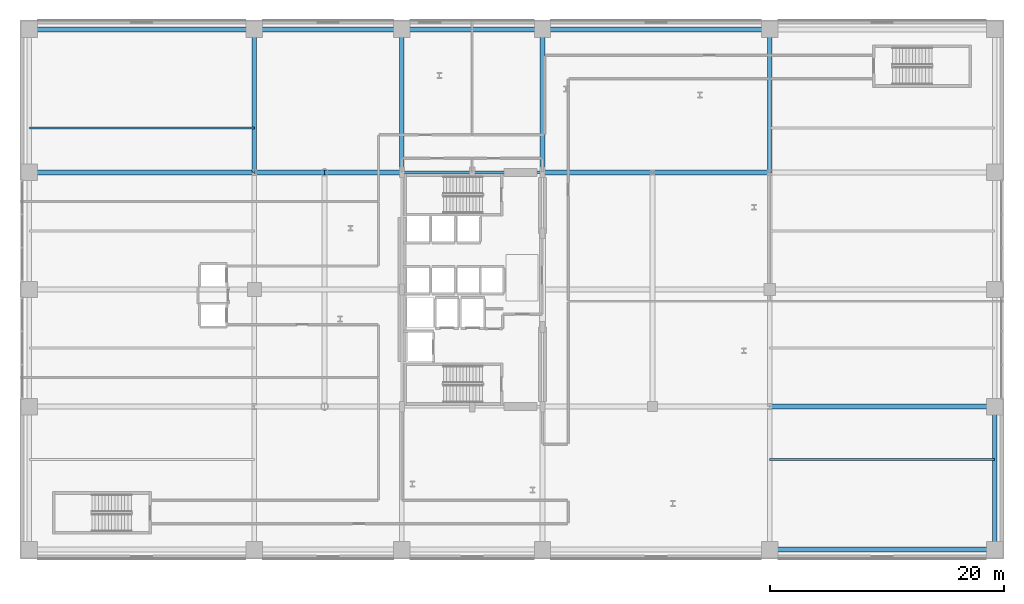
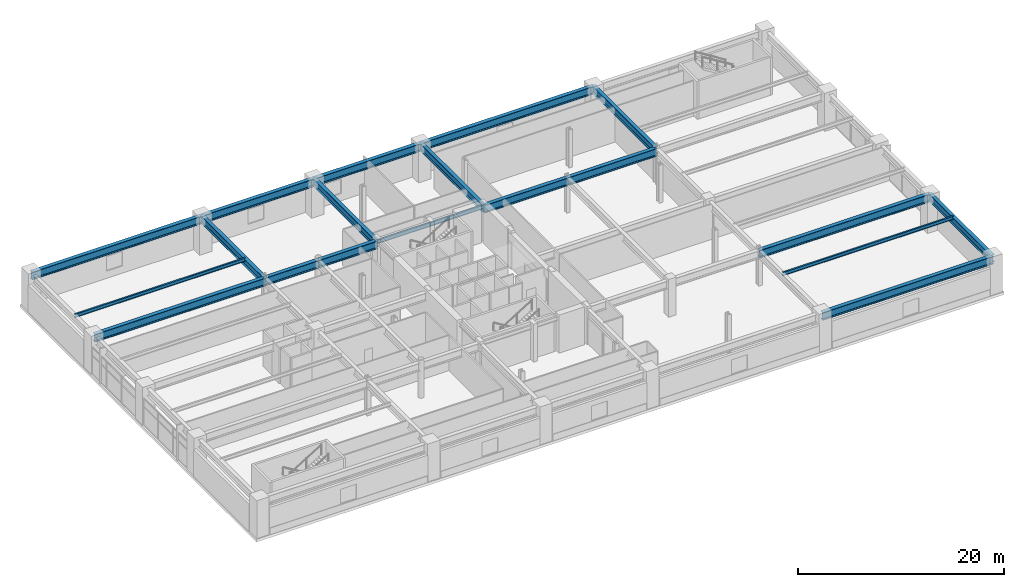
# One storey, part 12 of 28: 20 beams.
"""IFC4 building model written with IfcOpenShell, lengths in metres."""

from ifc_helpers import new_model, si_unit, direction, frame, origin, origin_2d, place, context, subcontext, project, spatial, i_section, extrude, material, material_profile, profile_set, type_object, element, save


model = new_model("IFC4")

# Units and contexts
model_context = context("Model", 3, precision=1e-05, world=origin(), true_north=direction((0.0, 1.0)))
body_context = subcontext(model_context, "Body", "Model", "MODEL_VIEW")
ifc_project = project(units=[si_unit("LENGTHUNIT", "METRE"), si_unit("AREAUNIT", "SQUARE_METRE"), si_unit("VOLUMEUNIT", "CUBIC_METRE"), si_unit("PLANEANGLEUNIT", "RADIAN"), si_unit("MASSUNIT", "GRAM", prefix="KILO")], contexts=[model_context])

# Site, building, storey
site_placement = place(None, origin())
site = spatial("IfcSite", under=ifc_project, at=site_placement, CompositionType="ELEMENT")
building_placement = place(site_placement, origin())
building = spatial("IfcBuilding", under=site, at=building_placement, Name="Soratama Intermodal Tower", CompositionType="ELEMENT")
storey_placement = place(building_placement, frame((0.0, 0.0, 20.699951171875)))
storey = spatial("IfcBuildingStorey", under=building, at=storey_placement, Name="L04", CompositionType="ELEMENT", Elevation=20.699951171875)

# Beams
ifc_material_1 = material(Name="Structural steel ASTM A992 Grade 50", Category="steel")
ifc_material_profile_1 = material_profile(ifc_material_1, i_section(OverallWidth=0.19091796875, OverallDepth=0.4599609375, WebThickness=0.010009765625, FlangeThickness=0.01611328125, FilletRadius=0.010986328125, at=origin_2d()), Name="W18X55")
ifc_profile_set_1 = profile_set([ifc_material_profile_1], Name="Structural steel ASTM A992 Grade 50")
beam_type_1 = type_object("IfcBeamType", Name="BM-FLR-W18X55", PredefinedType="BEAM", material=ifc_profile_set_1)
for number, where, z_axis, x_axis, name in (
    (1, (44.60009765625, 35.0, 3.949951171875), (-1.0, 0.0, 0.0), (0.0, -1.0, 0.0), "BM-L04-CRING-06"),
    (2, (38.60009765625, 35.0, 3.949951171875), (-1.0, 0.0, 0.0), (0.0, -1.0, 0.0), "BM-L04-CRING-07"),
):
    element("IfcBeam", number, at=place(storey_placement, frame(where, z_axis=z_axis, x_axis=x_axis)), inside=storey, type_object=beam_type_1, Name=name, PredefinedType="BEAM", context=body_context, shape_type="SweptSolid", body=[
        extrude(i_section(OverallWidth=0.19091796875, OverallDepth=0.4599609375, WebThickness=0.010009765625, FlangeThickness=0.01611328125, FilletRadius=0.010986328125, at=origin_2d()), origin(), (0.0, 0.0, 1.0), 6.0),
    ])
ifc_material_2 = material(Name="Structural steel ASTM A992 Grade 50", Category="steel")
ifc_material_profile_2 = material_profile(ifc_material_2, i_section(OverallWidth=0.177978515625, OverallDepth=0.406982421875, WebThickness=0.0078125, FlangeThickness=0.0126953125, FilletRadius=0.010009765625, at=origin_2d()), Name="W16X40")
ifc_profile_set_2 = profile_set([ifc_material_profile_2], Name="Structural steel ASTM A992 Grade 50")
beam_type_2 = type_object("IfcBeamType", Name="BM-JST-W16X40", PredefinedType="JOIST", material=ifc_profile_set_2)
for number, where, z_axis, x_axis, name in (
    (3, (64.0, 10.5, 3.9765625), (1.0, 0.0, 0.0), (0.0, 1.0, 0.0), "JST-L04-E1"),
    (4, (0.800048828125, 38.800048828125, 3.9765625), (1.0, 0.0, 0.0), (0.0, 1.0, 0.0), "JST-L04-W4"),
):
    element("IfcBeam", number, at=place(storey_placement, frame(where, z_axis=z_axis, x_axis=x_axis)), inside=storey, type_object=beam_type_2, Name=name, PredefinedType="JOIST", context=body_context, shape_type="SweptSolid", body=[
        extrude(i_section(OverallWidth=0.177978515625, OverallDepth=0.406982421875, WebThickness=0.0078125, FlangeThickness=0.0126953125, FilletRadius=0.010009765625, at=origin_2d()), origin(), (0.0, 0.0, 1.0), 19.199951171875),
    ])
ifc_material_3 = material(Name="Structural steel ASTM A992 Grade 50", Category="steel")
ifc_material_profile_3 = material_profile(ifc_material_3, i_section(OverallWidth=0.403076171875, OverallDepth=0.867919921875, WebThickness=0.02099609375, FlangeThickness=0.03564453125, FilletRadius=0.01806640625, at=origin_2d()), Name="W33X241")
ifc_profile_set_3 = profile_set([ifc_material_profile_3], Name="Structural steel ASTM A992 Grade 50")
beam_type_3 = type_object("IfcBeamType", Name="BM-POD-EXT-W33", PredefinedType="BEAM", material=ifc_profile_set_3)
beam_1_placement = place(storey_placement, frame((83.199951171875, 2.800048828125, 3.74609375), z_axis=(0.0, 1.0, 0.0), x_axis=(-1.0, 0.0, 0.0)))
element("IfcBeam", 5, at=beam_1_placement, inside=storey, type_object=beam_type_3, Name="L04 Station Girder Y4-1", PredefinedType="BEAM", context=body_context, shape_type="SweptSolid", body=[
    extrude(i_section(OverallWidth=0.403076171875, OverallDepth=0.867919921875, WebThickness=0.02099609375, FlangeThickness=0.03564453125, FilletRadius=0.01806640625, at=origin_2d()), origin(), (0.0, 0.0, 1.0), 12.199951171875),
])
ifc_material_4 = material(Name="Structural steel ASTM A992 Grade 50", Category="steel")
ifc_material_profile_4 = material_profile(ifc_material_4, i_section(OverallWidth=0.423095703125, OverallDepth=0.93896484375, WebThickness=0.02392578125, FlangeThickness=0.042724609375, FilletRadius=0.02392578125, at=origin_2d()), Name="W36X302")
ifc_profile_set_4 = profile_set([ifc_material_profile_4], Name="Structural steel ASTM A992 Grade 50")
beam_type_4 = type_object("IfcBeamType", Name="BM-POD-EXT-W36", PredefinedType="BEAM", material=ifc_profile_set_4)
for number, where, z_axis, x_axis, name in (
    (6, (64.0, 2.800048828125, 3.71044921875), (1.0, 0.0, 0.0), (0.0, 1.0, 0.0), "L04 Station Girder X1-5"),
    (7, (0.800048828125, 47.199951171875, 3.71044921875), (1.0, 0.0, 0.0), (0.0, 1.0, 0.0), "L04 Station Girder X5-1"),
):
    element("IfcBeam", number, at=place(storey_placement, frame(where, z_axis=z_axis, x_axis=x_axis)), inside=storey, type_object=beam_type_4, Name=name, PredefinedType="BEAM", context=body_context, shape_type="SweptSolid", body=[
        extrude(i_section(OverallWidth=0.423095703125, OverallDepth=0.93896484375, WebThickness=0.02392578125, FlangeThickness=0.042724609375, FilletRadius=0.02392578125, at=origin_2d()), origin(), (0.0, 0.0, 1.0), 19.199951171875),
    ])
beam_2_placement = place(storey_placement, frame((20.0, 47.199951171875, 3.71044921875), z_axis=(1.0, 0.0, 0.0), x_axis=(0.0, 1.0, 0.0)))
element("IfcBeam", 8, at=beam_2_placement, inside=storey, type_object=beam_type_4, Name="L04 Station Girder X5-2", PredefinedType="BEAM", context=body_context, shape_type="SweptSolid", body=[
    extrude(i_section(OverallWidth=0.423095703125, OverallDepth=0.93896484375, WebThickness=0.02392578125, FlangeThickness=0.042724609375, FilletRadius=0.02392578125, at=origin_2d()), origin(), (0.0, 0.0, 1.0), 12.60009765625),
])
beam_3_placement = place(storey_placement, frame((32.60009765625, 47.199951171875, 3.71044921875), z_axis=(1.0, 0.0, 0.0), x_axis=(0.0, 1.0, 0.0)))
element("IfcBeam", 9, at=beam_3_placement, inside=storey, type_object=beam_type_4, Name="L04 Station Girder X5-3", PredefinedType="BEAM", context=body_context, shape_type="SweptSolid", body=[
    extrude(i_section(OverallWidth=0.423095703125, OverallDepth=0.93896484375, WebThickness=0.02392578125, FlangeThickness=0.042724609375, FilletRadius=0.02392578125, at=origin_2d()), origin(), (0.0, 0.0, 1.0), 12.0),
])
beam_4_placement = place(storey_placement, frame((44.60009765625, 47.199951171875, 3.71044921875), z_axis=(1.0, 0.0, 0.0), x_axis=(0.0, 1.0, 0.0)))
element("IfcBeam", 10, at=beam_4_placement, inside=storey, type_object=beam_type_4, Name="L04 Station Girder X5-4", PredefinedType="BEAM", context=body_context, shape_type="SweptSolid", body=[
    extrude(i_section(OverallWidth=0.423095703125, OverallDepth=0.93896484375, WebThickness=0.02392578125, FlangeThickness=0.042724609375, FilletRadius=0.02392578125, at=origin_2d()), origin(), (0.0, 0.0, 1.0), 19.39990234375),
])
ifc_material_5 = material(Name="Structural steel ASTM A992 Grade 50", Category="steel")
ifc_material_profile_5 = material_profile(ifc_material_5, i_section(OverallWidth=0.403076171875, OverallDepth=0.867919921875, WebThickness=0.02099609375, FlangeThickness=0.03564453125, FilletRadius=0.01806640625, at=origin_2d()), Name="W33X241")
ifc_profile_set_5 = profile_set([ifc_material_profile_5], Name="Structural steel ASTM A992 Grade 50")
beam_type_5 = type_object("IfcBeamType", Name="BM-POD-W33X241", PredefinedType="BEAM", material=ifc_profile_set_5)
for number, where, z_axis, x_axis, name in (
    (11, (20.0, 35.0, 3.74609375), (0.0, 1.0, 0.0), (-1.0, 0.0, 0.0), "L04 Station Girder Y2-4"),
    (12, (64.0, 35.0, 3.74609375), (0.0, 1.0, 0.0), (-1.0, 0.0, 0.0), "L04 Station Girder Y3-4"),
    (13, (32.60009765625, 35.0, 3.74609375), (0.0, 1.0, 0.0), (-1.0, 0.0, 0.0), "BM-L04-GYC-1-2"),
    (14, (44.60009765625, 35.0, 3.74609375), (0.0, 1.0, 0.0), (-1.0, 0.0, 0.0), "BM-L04-GYC-2-2"),
):
    element("IfcBeam", number, at=place(storey_placement, frame(where, z_axis=z_axis, x_axis=x_axis)), inside=storey, type_object=beam_type_5, Name=name, PredefinedType="BEAM", context=body_context, shape_type="SweptSolid", body=[
        extrude(i_section(OverallWidth=0.403076171875, OverallDepth=0.867919921875, WebThickness=0.02099609375, FlangeThickness=0.03564453125, FilletRadius=0.01806640625, at=origin_2d()), origin(), (0.0, 0.0, 1.0), 12.199951171875),
    ])
ifc_material_6 = material(Name="Structural steel ASTM A992 Grade 50", Category="steel")
ifc_material_profile_6 = material_profile(ifc_material_6, i_section(OverallWidth=0.423095703125, OverallDepth=0.93896484375, WebThickness=0.02392578125, FlangeThickness=0.042724609375, FilletRadius=0.02392578125, at=origin_2d()), Name="W36X302")
ifc_profile_set_6 = profile_set([ifc_material_profile_6], Name="Structural steel ASTM A992 Grade 50")
beam_type_6 = type_object("IfcBeamType", Name="BM-POD-W36X302", PredefinedType="BEAM", material=ifc_profile_set_6)
beam_5_placement = place(storey_placement, frame((64.0, 15.0, 3.71044921875), z_axis=(1.0, 0.0, 0.0), x_axis=(0.0, 1.0, 0.0)))
element("IfcBeam", 15, at=beam_5_placement, inside=storey, type_object=beam_type_6, Name="L04 Station Girder X2-6", PredefinedType="BEAM", context=body_context, shape_type="SweptSolid", body=[
    extrude(i_section(OverallWidth=0.423095703125, OverallDepth=0.93896484375, WebThickness=0.02392578125, FlangeThickness=0.042724609375, FilletRadius=0.02392578125, at=origin_2d()), origin(), (0.0, 0.0, 1.0), 19.199951171875),
])
beam_6_placement = place(storey_placement, frame((20.0, 35.0, 3.71044921875), z_axis=(1.0, 0.0, 0.0), x_axis=(0.0, 1.0, 0.0)))
element("IfcBeam", 16, at=beam_6_placement, inside=storey, type_object=beam_type_6, Name="L04 Station Girder X4-1", PredefinedType="BEAM", context=body_context, shape_type="SweptSolid", body=[
    extrude(i_section(OverallWidth=0.423095703125, OverallDepth=0.93896484375, WebThickness=0.02392578125, FlangeThickness=0.042724609375, FilletRadius=0.02392578125, at=origin_2d()), origin(), (0.0, 0.0, 1.0), 6.0),
])
beam_7_placement = place(storey_placement, frame((26.0, 35.0, 3.71044921875), z_axis=(1.0, 0.0, 0.0), x_axis=(0.0, 1.0, 0.0)))
element("IfcBeam", 17, at=beam_7_placement, inside=storey, type_object=beam_type_6, Name="L04 Station Girder X4-2", PredefinedType="BEAM", context=body_context, shape_type="SweptSolid", body=[
    extrude(i_section(OverallWidth=0.423095703125, OverallDepth=0.93896484375, WebThickness=0.02392578125, FlangeThickness=0.042724609375, FilletRadius=0.02392578125, at=origin_2d()), origin(), (0.0, 0.0, 1.0), 6.60009765625),
])
beam_8_placement = place(storey_placement, frame((44.60009765625, 35.0, 3.71044921875), z_axis=(1.0, 0.0, 0.0), x_axis=(0.0, 1.0, 0.0)))
element("IfcBeam", 18, at=beam_8_placement, inside=storey, type_object=beam_type_6, Name="L04 Station Girder X4-3", PredefinedType="BEAM", context=body_context, shape_type="SweptSolid", body=[
    extrude(i_section(OverallWidth=0.423095703125, OverallDepth=0.93896484375, WebThickness=0.02392578125, FlangeThickness=0.042724609375, FilletRadius=0.02392578125, at=origin_2d()), origin(), (0.0, 0.0, 1.0), 9.39990234375),
])
beam_9_placement = place(storey_placement, frame((54.0, 35.0, 3.71044921875), z_axis=(1.0, 0.0, 0.0), x_axis=(0.0, 1.0, 0.0)))
element("IfcBeam", 19, at=beam_9_placement, inside=storey, type_object=beam_type_6, Name="L04 Station Girder X4-4", PredefinedType="BEAM", context=body_context, shape_type="SweptSolid", body=[
    extrude(i_section(OverallWidth=0.423095703125, OverallDepth=0.93896484375, WebThickness=0.02392578125, FlangeThickness=0.042724609375, FilletRadius=0.02392578125, at=origin_2d()), origin(), (0.0, 0.0, 1.0), 10.0),
])
beam_10_placement = place(storey_placement, frame((0.800048828125, 35.0, 3.71044921875), z_axis=(1.0, 0.0, 0.0), x_axis=(0.0, 1.0, 0.0)))
element("IfcBeam", 20, at=beam_10_placement, inside=storey, type_object=beam_type_6, Name="L04 Station Girder X4-6", PredefinedType="BEAM", context=body_context, shape_type="SweptSolid", body=[
    extrude(i_section(OverallWidth=0.423095703125, OverallDepth=0.93896484375, WebThickness=0.02392578125, FlangeThickness=0.042724609375, FilletRadius=0.02392578125, at=origin_2d()), origin(), (0.0, 0.0, 1.0), 19.199951171875),
])

save(model, "model.ifc")
